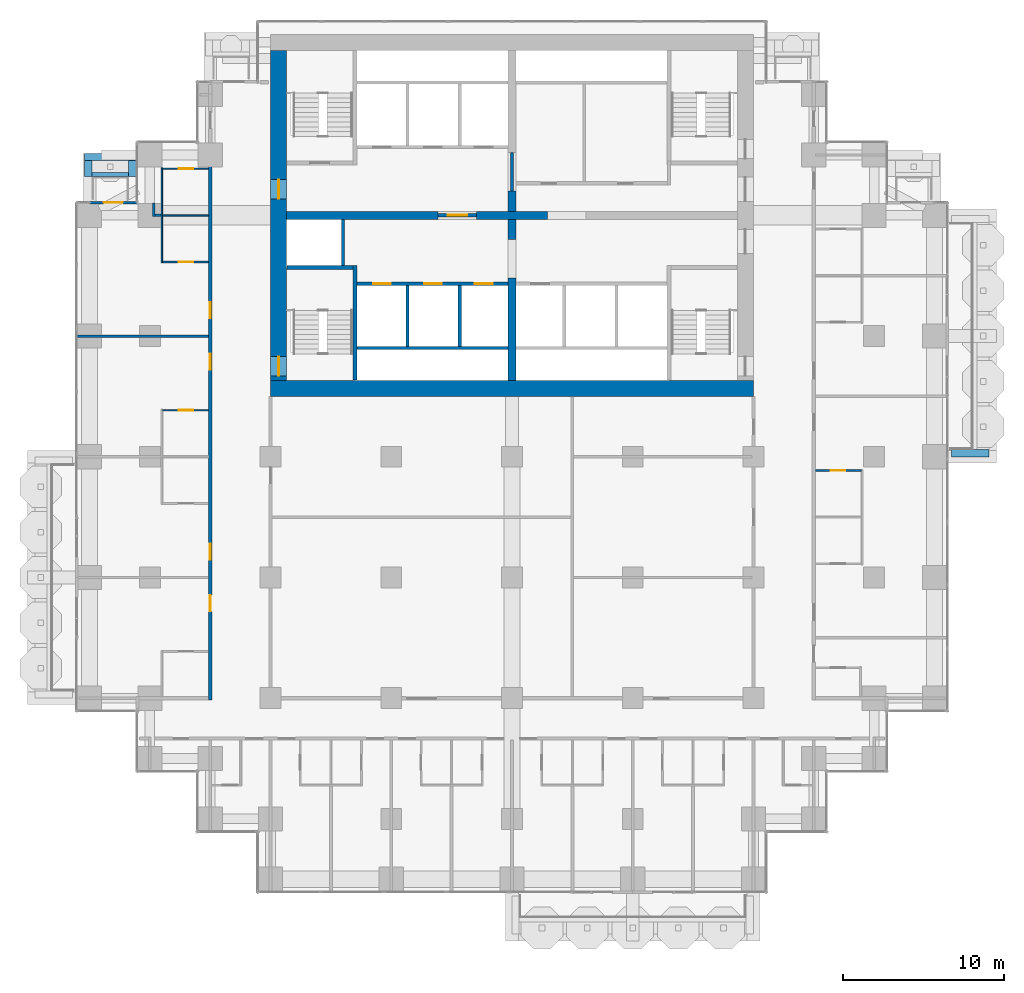
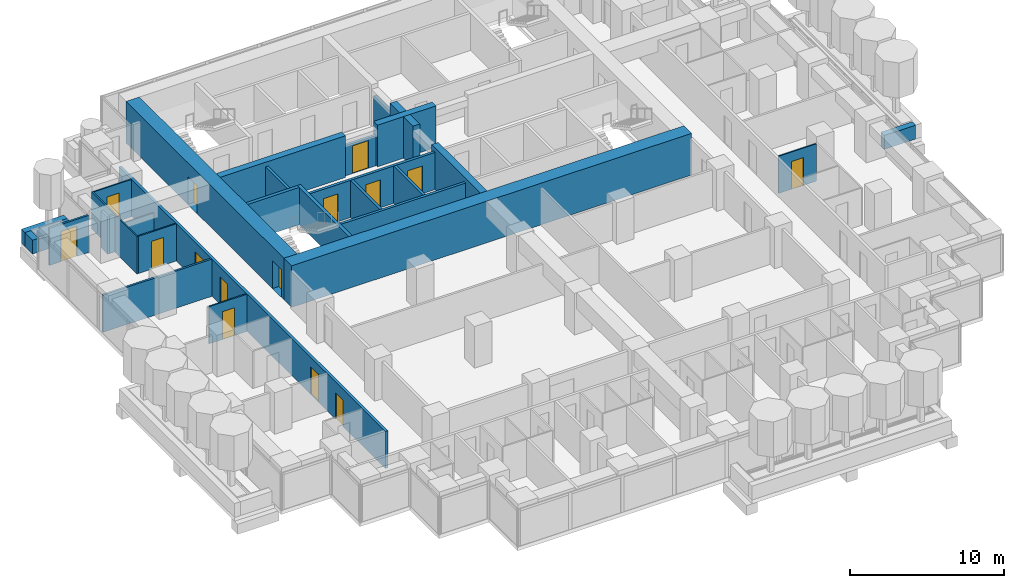
# One storey, part 14 of 20: 32 walls, 15 doors, 15 openings.
"""IFC4 building model written with IfcOpenShell, lengths in metres."""

from ifc_helpers import new_model, si_unit, direction, frame, frame_2d, origin, place, context, subcontext, project, spatial, rectangle, extrude, material, layer, layer_set, type_object, element, fill, save


model = new_model("IFC4")

# Units and contexts
model_context = context("Model", 3, precision=1e-05, world=origin(), true_north=direction((0.0, 1.0)))
body_context = subcontext(model_context, "Body", "Model", "MODEL_VIEW")
ifc_project = project(units=[si_unit("LENGTHUNIT", "METRE"), si_unit("AREAUNIT", "SQUARE_METRE"), si_unit("VOLUMEUNIT", "CUBIC_METRE"), si_unit("PLANEANGLEUNIT", "RADIAN"), si_unit("MASSUNIT", "GRAM", prefix="KILO")], contexts=[model_context])

# Site, building, storey
site_placement = place(None, origin())
site = spatial("IfcSite", under=ifc_project, at=site_placement, CompositionType="ELEMENT")
building_placement = place(site_placement, origin())
building = spatial("IfcBuilding", under=site, at=building_placement, Name="Pilkhan Gate Tower", CompositionType="ELEMENT")
storey_placement = place(building_placement, frame((0.0, 0.0, 98.89990234375)))
storey = spatial("IfcBuildingStorey", under=building, at=storey_placement, Name="L24", CompositionType="ELEMENT", Elevation=98.89990234375)

# Walls
ifc_material_1 = material(Name="Concrete C40/50", Category="concrete")
ifc_layer_1 = layer(ifc_material_1, 0.25)
ifc_layer_set_1 = layer_set([ifc_layer_1], Name="Balcony planter BP250")
wall_type_1 = type_object("IfcWallType", Name="Balcony planter BP250", PredefinedType="USERDEFINED", material=ifc_layer_set_1)
wall_1_placement = place(storey_placement, frame((48.89990234375, 85.02490234375, 0.0), z_axis=(0.0, 0.0, 1.0), x_axis=(1.0, 0.0, 0.0)))
element("IfcWall", 1, at=wall_1_placement, inside=storey, type_object=wall_type_1, Name="Balcony planter L24 N", ObjectType="BALCONY PLANTER", PredefinedType="USERDEFINED", context=body_context, shape_type="SweptSolid", body=[
    extrude(rectangle(XDim=2.280029296875, YDim=0.25, at=frame_2d((1.14013671875, 0.0))), origin(), (0.0, 0.0, 1.0), 1.0),
])
ifc_material_2 = material(Name="Board-marked Concrete C40/50", Category="concrete")
ifc_layer_2 = layer(ifc_material_2, 0.449951171875)
ifc_layer_set_2 = layer_set([ifc_layer_2], Name="Balcony planter lip BL450")
wall_type_2 = type_object("IfcWallType", Name="Balcony planter lip BL450", PredefinedType="USERDEFINED", material=ifc_layer_set_2)
wall_2_placement = place(storey_placement, frame((102.300048828125, 67.72509765625, 0.0), z_axis=(0.0, 0.0, 1.0), x_axis=(1.0, 0.0, 0.0)))
element("IfcWall", 2, at=wall_2_placement, inside=storey, type_object=wall_type_2, Name="Balcony planter L24 E", ObjectType="BALCONY PLANTER", PredefinedType="USERDEFINED", context=body_context, shape_type="SweptSolid", body=[
    extrude(rectangle(XDim=2.349853515625, YDim=0.449951171875, at=frame_2d((1.1748046875, 0.0))), origin(), (0.0, 0.0, 1.0), 1.10009765625),
])
wall_3_placement = place(storey_placement, frame((48.449951171875, 86.125, 0.0), z_axis=(0.0, 0.0, 1.0), x_axis=(1.0, 0.0, 0.0)))
element("IfcWall", 3, at=wall_3_placement, inside=storey, type_object=wall_type_2, Name="Balcony planter L24 N", ObjectType="BALCONY PLANTER", PredefinedType="USERDEFINED", context=body_context, shape_type="SweptSolid", body=[
    extrude(rectangle(XDim=3.179931640625, YDim=0.449951171875, at=frame_2d((1.58984375, 0.0))), origin(), (0.0, 0.0, 1.0), 1.10009765625),
])
for number, where, z_axis, x_axis, name in (
    (4, (48.675048828125, 84.89990234375, 0.0), (0.0, 0.0, 1.0), (0.0, 1.0, 0.0), "Balcony planter L24 N"),
    (5, (51.405029296875, 84.89990234375, 0.0), (0.0, 0.0, 1.0), (0.0, 1.0, 0.0), "Balcony planter L24 N"),
):
    element("IfcWall", number, at=place(storey_placement, frame(where, z_axis=z_axis, x_axis=x_axis)), inside=storey, type_object=wall_type_2, Name=name, ObjectType="BALCONY PLANTER", PredefinedType="USERDEFINED", context=body_context, shape_type="SweptSolid", body=[
        extrude(rectangle(XDim=1.0, YDim=0.449951171875, at=frame_2d((0.5, 0.0))), origin(), (0.0, 0.0, 1.0), 1.10009765625),
    ])
ifc_material_3 = material(Name="Concrete C70/85", Category="concrete")
ifc_layer_3 = layer(ifc_material_3, 1.0)
ifc_layer_set_3 = layer_set([ifc_layer_3], Name="Core wall CW1000 C70/85")
wall_type_3 = type_object("IfcWallType", Name="Core wall CW1000 C70/85", PredefinedType="SHEAR", material=ifc_layer_set_3)
wall_4_placement = place(storey_placement, frame((60.0, 71.75, 0.0), z_axis=(0.0, 0.0, 1.0), x_axis=(1.0, 0.0, 0.0)))
element("IfcWall", 6, at=wall_4_placement, inside=storey, type_object=wall_type_3, Name="Core wall S L24", PredefinedType="SHEAR", context=body_context, shape_type="SweptSolid", body=[
    extrude(rectangle(XDim=30.0, YDim=1.0, at=frame_2d((15.0, 0.0))), origin(), (0.0, 0.0, 1.0), 3.300048828125),
])

# Wall, openings, doors
wall_5_placement = place(storey_placement, frame((60.5, 92.75, 0.0), z_axis=(0.0, 0.0, 1.0), x_axis=(0.0, -1.0, 0.0)))
wall_5 = element("IfcWall", 7, at=wall_5_placement, inside=storey, type_object=wall_type_3, Name="Core wall W L24", PredefinedType="SHEAR", context=body_context, shape_type="SweptSolid", body=[
    extrude(rectangle(XDim=20.5, YDim=1.0, at=frame_2d((10.25, 0.0))), origin(), (0.0, 0.0, 1.0), 3.300048828125),
])
opening_1_placement = place(wall_5_placement, frame((19.02490234375, 0.0, 0.0)))
opening_1 = element("IfcOpeningElement", 8, at=opening_1_placement, cuts=wall_5, Name="Opening L24-04", PredefinedType="OPENING", context=body_context, shape_type="SweptSolid", body=[
    extrude(rectangle(XDim=1.199951171875, YDim=2.199951171875, at=frame_2d((0.60009765625, 1.10009765625))), frame((0.0, 0.510009765625, 0.0), z_axis=(0.0, -1.0, 0.0), x_axis=(1.0, 0.0, 0.0)), (0.0, 0.0, 1.0), 1.02001953125),
])
opening_2_placement = place(wall_5_placement, frame((8.02490234375, 0.0, 0.0)))
opening_2 = element("IfcOpeningElement", 9, at=opening_2_placement, cuts=wall_5, Name="Opening L24-47", PredefinedType="OPENING", context=body_context, shape_type="SweptSolid", body=[
    extrude(rectangle(XDim=1.199951171875, YDim=2.199951171875, at=frame_2d((0.60009765625, 1.10009765625))), frame((0.0, 0.510009765625, 0.0), z_axis=(0.0, -1.0, 0.0), x_axis=(1.0, 0.0, 0.0)), (0.0, 0.0, 1.0), 1.02001953125),
])
ifc_material_4 = material(Name="Steel door, 120 minute fire resisting, self-closing", Category="steel")
door_type_1 = type_object("IfcDoorType", Name="Firefighting lobby door D10 1200x2200", OperationType="SINGLE_SWING_LEFT", PredefinedType="DOOR", material=ifc_material_4)
door_1_placement = place(opening_2_placement, origin())
door_1 = element("IfcDoor", 10, at=door_1_placement, inside=storey, type_object=door_type_1, Name="Core door", OperationType="SINGLE_SWING_LEFT", OverallHeight=2.199951171875, OverallWidth=1.199951171875, PredefinedType="DOOR", context=body_context, shape_type="SweptSolid", body=[
    extrude(rectangle(XDim=1.199951171875, YDim=2.199951171875, at=frame_2d((0.60009765625, 1.10009765625))), frame((0.0, 0.02490234375, 0.0), z_axis=(0.0, -1.0, 0.0), x_axis=(1.0, 0.0, 0.0)), (0.0, 0.0, 1.0), 0.050048828125),
])
fill(opening_2, door_1)
ifc_material_5 = material(Name="Steel door, 120 minute fire resisting, panic bar", Category="steel")
door_type_2 = type_object("IfcDoorType", Name="Stair door D11 1200x2200", OperationType="SINGLE_SWING_LEFT", PredefinedType="DOOR", material=ifc_material_5)
door_2_placement = place(opening_1_placement, origin())
door_2 = element("IfcDoor", 11, at=door_2_placement, inside=storey, type_object=door_type_2, Name="Stair ST2 door", OperationType="SINGLE_SWING_LEFT", OverallHeight=2.199951171875, OverallWidth=1.199951171875, PredefinedType="DOOR", context=body_context, shape_type="SweptSolid", body=[
    extrude(rectangle(XDim=1.199951171875, YDim=2.199951171875, at=frame_2d((0.60009765625, 1.10009765625))), frame((0.0, 0.02490234375, 0.0), z_axis=(0.0, -1.0, 0.0), x_axis=(1.0, 0.0, 0.0)), (0.0, 0.0, 1.0), 0.050048828125),
])
fill(opening_1, door_2)

ifc_material_6 = material(Name="Dense blockwork", Category="masonry")
ifc_layer_4 = layer(ifc_material_6, 0.199951171875)
ifc_layer_set_4 = layer_set([ifc_layer_4], Name="Corridor wall FW200")
wall_type_4 = type_object("IfcWallType", Name="Corridor wall FW200", PredefinedType="PARTITIONING", material=ifc_layer_set_4)
wall_6_placement = place(storey_placement, frame((56.25, 52.39990234375, 0.0), z_axis=(0.0, 0.0, 1.0), x_axis=(0.0, 1.0, 0.0)))
wall_6 = element("IfcWall", 12, at=wall_6_placement, inside=storey, type_object=wall_type_4, Name="Partition L24", PredefinedType="PARTITIONING", context=body_context, shape_type="SweptSolid", body=[
    extrude(rectangle(XDim=34.60009765625, YDim=0.199951171875, at=frame_2d((17.300048828125, 0.0))), origin(), (0.0, 0.0, 1.0), 2.9501953125),
])
opening_3_placement = place(wall_6_placement, frame((5.5, 0.0, 0.0)))
opening_3 = element("IfcOpeningElement", 13, at=opening_3_placement, cuts=wall_6, Name="Opening L24-26", PredefinedType="OPENING", context=body_context, shape_type="SweptSolid", body=[
    extrude(rectangle(XDim=1.0, YDim=2.10009765625, at=frame_2d((0.5, 1.050048828125))), frame((0.0, 0.10986328125, 0.0), z_axis=(0.0, -1.0, 0.0), x_axis=(1.0, 0.0, 0.0)), (0.0, 0.0, 1.0), 0.219970703125),
])
opening_4_placement = place(wall_6_placement, frame((8.699951171875, 0.0, 0.0)))
opening_4 = element("IfcOpeningElement", 14, at=opening_4_placement, cuts=wall_6, Name="Opening L24-28", PredefinedType="OPENING", context=body_context, shape_type="SweptSolid", body=[
    extrude(rectangle(XDim=1.0, YDim=2.199951171875, at=frame_2d((0.5, 1.10009765625))), frame((0.0, 0.10986328125, 0.0), z_axis=(0.0, -1.0, 0.0), x_axis=(1.0, 0.0, 0.0)), (0.0, 0.0, 1.0), 0.219970703125),
])
opening_5_placement = place(wall_6_placement, frame((20.5, 0.0, 0.0)))
opening_5 = element("IfcOpeningElement", 15, at=opening_5_placement, cuts=wall_6, Name="Opening L24-30", PredefinedType="OPENING", context=body_context, shape_type="SweptSolid", body=[
    extrude(rectangle(XDim=1.0, YDim=2.199951171875, at=frame_2d((0.5, 1.10009765625))), frame((0.0, 0.10986328125, 0.0), z_axis=(0.0, -1.0, 0.0), x_axis=(1.0, 0.0, 0.0)), (0.0, 0.0, 1.0), 0.219970703125),
])
opening_6_placement = place(wall_6_placement, frame((23.699951171875, 0.0, 0.0)))
opening_6 = element("IfcOpeningElement", 16, at=opening_6_placement, cuts=wall_6, Name="Opening L24-32", PredefinedType="OPENING", context=body_context, shape_type="SweptSolid", body=[
    extrude(rectangle(XDim=1.0, YDim=2.199951171875, at=frame_2d((0.5, 1.10009765625))), frame((0.0, 0.10986328125, 0.0), z_axis=(0.0, -1.0, 0.0), x_axis=(1.0, 0.0, 0.0)), (0.0, 0.0, 1.0), 0.219970703125),
])
ifc_material_7 = material(Name="Timber flush door, 30 minute fire resisting", Category="wood")
door_type_3 = type_object("IfcDoorType", Name="Guest room door D01 1000x2200", OperationType="SINGLE_SWING_LEFT", PredefinedType="DOOR", material=ifc_material_7)
door_3_placement = place(opening_4_placement, origin())
door_3 = element("IfcDoor", 17, at=door_3_placement, inside=storey, type_object=door_type_3, Name="Guest room door", OperationType="SINGLE_SWING_LEFT", OverallHeight=2.199951171875, OverallWidth=1.0, PredefinedType="DOOR", context=body_context, shape_type="SweptSolid", body=[
    extrude(rectangle(XDim=1.0, YDim=2.199951171875, at=frame_2d((0.5, 1.10009765625))), frame((0.0, 0.02490234375, 0.0), z_axis=(0.0, -1.0, 0.0), x_axis=(1.0, 0.0, 0.0)), (0.0, 0.0, 1.0), 0.050048828125),
])
fill(opening_4, door_3)
door_4_placement = place(opening_5_placement, origin())
door_4 = element("IfcDoor", 18, at=door_4_placement, inside=storey, type_object=door_type_3, Name="Guest room door", OperationType="SINGLE_SWING_LEFT", OverallHeight=2.199951171875, OverallWidth=1.0, PredefinedType="DOOR", context=body_context, shape_type="SweptSolid", body=[
    extrude(rectangle(XDim=1.0, YDim=2.199951171875, at=frame_2d((0.5, 1.10009765625))), frame((0.0, 0.02490234375, 0.0), z_axis=(0.0, -1.0, 0.0), x_axis=(1.0, 0.0, 0.0)), (0.0, 0.0, 1.0), 0.050048828125),
])
fill(opening_5, door_4)
door_5_placement = place(opening_6_placement, origin())
door_5 = element("IfcDoor", 19, at=door_5_placement, inside=storey, type_object=door_type_3, Name="Guest room door", OperationType="SINGLE_SWING_LEFT", OverallHeight=2.199951171875, OverallWidth=1.0, PredefinedType="DOOR", context=body_context, shape_type="SweptSolid", body=[
    extrude(rectangle(XDim=1.0, YDim=2.199951171875, at=frame_2d((0.5, 1.10009765625))), frame((0.0, 0.02490234375, 0.0), z_axis=(0.0, -1.0, 0.0), x_axis=(1.0, 0.0, 0.0)), (0.0, 0.0, 1.0), 0.050048828125),
])
fill(opening_6, door_5)
door_type_4 = type_object("IfcDoorType", Name="Guest room door D01A 1000x2100", OperationType="SINGLE_SWING_LEFT", PredefinedType="DOOR", material=ifc_material_7)
door_6_placement = place(opening_3_placement, origin())
door_6 = element("IfcDoor", 20, at=door_6_placement, inside=storey, type_object=door_type_4, Name="Guest room door", OperationType="SINGLE_SWING_LEFT", OverallHeight=2.10009765625, OverallWidth=1.0, PredefinedType="DOOR", context=body_context, shape_type="SweptSolid", body=[
    extrude(rectangle(XDim=1.0, YDim=2.10009765625, at=frame_2d((0.5, 1.050048828125))), frame((0.0, 0.02490234375, 0.0), z_axis=(0.0, -1.0, 0.0), x_axis=(1.0, 0.0, 0.0)), (0.0, 0.0, 1.0), 0.050048828125),
])
fill(opening_3, door_6)

# Wall, opening, door
ifc_material_8 = material(Name="Pale anodised aluminium, clear laminated glazing", Category="aluminium")
ifc_layer_5 = layer(ifc_material_8, 0.14990234375)
ifc_layer_set_5 = layer_set([ifc_layer_5], Name="Facade infill wall IW150")
wall_type_5 = type_object("IfcWallType", Name="Facade infill wall IW150", PredefinedType="SOLIDWALL", material=ifc_layer_set_5)
wall_7_placement = place(storey_placement, frame((48.75, 83.294921875, 0.0), z_axis=(0.0, 0.0, 1.0), x_axis=(1.0, 0.0, 0.0)))
wall_7 = element("IfcWall", 21, at=wall_7_placement, inside=storey, type_object=wall_type_5, Name="Infill wall L24 N", PredefinedType="SOLIDWALL", context=body_context, shape_type="SweptSolid", body=[
    extrude(rectangle(XDim=2.955078125, YDim=0.14990234375, at=frame_2d((1.4775390625, 0.0))), origin(), (0.0, 0.0, 1.0), 2.9501953125),
])
opening_7_placement = place(wall_7_placement, frame((0.87744140625, 0.0, 0.0)))
opening_7 = element("IfcOpeningElement", 22, at=opening_7_placement, cuts=wall_7, Name="Opening D1", PredefinedType="OPENING", context=body_context, shape_type="SweptSolid", body=[
    extrude(rectangle(XDim=1.199951171875, YDim=2.39990234375, at=frame_2d((0.60009765625, 1.199951171875))), frame((0.0, 0.0849609375, 0.0), z_axis=(0.0, -1.0, 0.0), x_axis=(1.0, 0.0, 0.0)), (0.0, 0.0, 1.0), 0.169921875),
])
ifc_material_9 = material(Name="Pale anodised aluminium, clear glazing", Category="aluminium")
door_type_5 = type_object("IfcDoorType", Name="Balcony door D1 1200x2400", OperationType="SINGLE_SWING_LEFT", PredefinedType="DOOR", material=ifc_material_9)
door_7_placement = place(opening_7_placement, origin())
door_7 = element("IfcDoor", 23, at=door_7_placement, inside=storey, type_object=door_type_5, Name="Balcony door L24", OperationType="SINGLE_SWING_LEFT", OverallHeight=2.39990234375, OverallWidth=1.199951171875, PredefinedType="DOOR", context=body_context, shape_type="SweptSolid", body=[
    extrude(rectangle(XDim=1.199951171875, YDim=2.39990234375, at=frame_2d((0.60009765625, 1.199951171875))), frame((0.0, 0.02490234375, 0.0), z_axis=(0.0, -1.0, 0.0), x_axis=(1.0, 0.0, 0.0)), (0.0, 0.0, 1.0), 0.050048828125),
])
fill(opening_7, door_7)

ifc_layer_6 = layer(ifc_material_6, 0.199951171875)
ifc_layer_set_6 = layer_set([ifc_layer_6], Name="Lobby wall LW200")
wall_type_6 = type_object("IfcWallType", Name="Lobby wall LW200", PredefinedType="PARTITIONING", material=ifc_layer_set_6)
wall_8_placement = place(storey_placement, frame((70.409912109375, 82.5, 0.0), z_axis=(0.0, 0.0, 1.0), x_axis=(1.0, 0.0, 0.0)))
wall_8 = element("IfcWall", 24, at=wall_8_placement, inside=storey, type_object=wall_type_6, Name="Partition L24", PredefinedType="PARTITIONING", context=body_context, shape_type="SweptSolid", body=[
    extrude(rectangle(XDim=2.380126953125, YDim=0.199951171875, at=frame_2d((1.18994140625, 0.0))), origin(), (0.0, 0.0, 1.0), 2.400146484375),
])
opening_8_placement = place(wall_8_placement, frame((0.60009765625, 0.0, 0.0)))
opening_8 = element("IfcOpeningElement", 25, at=opening_8_placement, cuts=wall_8, Name="Opening L24-01", PredefinedType="OPENING", context=body_context, shape_type="SweptSolid", body=[
    extrude(rectangle(XDim=1.199951171875, YDim=2.199951171875, at=frame_2d((0.60009765625, 1.10009765625))), frame((0.0, 0.10986328125, 0.0), z_axis=(0.0, -1.0, 0.0), x_axis=(1.0, 0.0, 0.0)), (0.0, 0.0, 1.0), 0.219970703125),
])
door_8_placement = place(opening_8_placement, origin())
door_8 = element("IfcDoor", 26, at=door_8_placement, inside=storey, type_object=door_type_1, Name="Firefighting lobby door", OperationType="SINGLE_SWING_RIGHT", OverallHeight=2.199951171875, OverallWidth=1.199951171875, PredefinedType="DOOR", context=body_context, shape_type="SweptSolid", body=[
    extrude(rectangle(XDim=1.199951171875, YDim=2.199951171875, at=frame_2d((0.60009765625, 1.10009765625))), frame((0.0, 0.02490234375, 0.0), z_axis=(0.0, -1.0, 0.0), x_axis=(1.0, 0.0, 0.0)), (0.0, 0.0, 1.0), 0.050048828125),
])
fill(opening_8, door_8)

# Walls
wall_9_placement = place(storey_placement, frame((75.0, 84.010009765625, 0.0), z_axis=(0.0, 0.0, 1.0), x_axis=(0.0, 1.0, 0.0)))
element("IfcWall", 27, at=wall_9_placement, inside=storey, type_object=wall_type_6, Name="Partition L24", PredefinedType="PARTITIONING", context=body_context, shape_type="SweptSolid", body=[
    extrude(rectangle(XDim=2.3798828125, YDim=0.199951171875, at=frame_2d((1.18994140625, 0.0))), origin(), (0.0, 0.0, 1.0), 2.400146484375),
])
ifc_material_10 = material(Name="Blockwork partition, plastered both sides", Category="masonry")
ifc_layer_7 = layer(ifc_material_10, 0.14990234375)
ifc_layer_set_7 = layer_set([ifc_layer_7], Name="Partition PW150")
wall_type_7 = type_object("IfcWallType", Name="Partition PW150", PredefinedType="PARTITIONING", material=ifc_layer_set_7)
wall_10_placement = place(storey_placement, frame((47.985107421875, 75.0, 0.0), z_axis=(0.0, 0.0, 1.0), x_axis=(1.0, 0.0, 0.0)))
element("IfcWall", 28, at=wall_10_placement, inside=storey, type_object=wall_type_7, Name="Partition L24", PredefinedType="PARTITIONING", context=body_context, shape_type="SweptSolid", body=[
    extrude(rectangle(XDim=8.164794921875, YDim=0.14990234375, at=frame_2d((4.08251953125, 0.0))), origin(), (0.0, 0.0, 1.0), 2.9501953125),
])
wall_11_placement = place(storey_placement, frame((52.81005859375, 82.5, 0.0), z_axis=(0.0, 0.0, 1.0), x_axis=(1.0, 0.0, 0.0)))
element("IfcWall", 29, at=wall_11_placement, inside=storey, type_object=wall_type_7, Name="Partition L24", PredefinedType="PARTITIONING", context=body_context, shape_type="SweptSolid", body=[
    extrude(rectangle(XDim=0.389892578125, YDim=0.14990234375, at=frame_2d((0.19482421875, 0.0))), origin(), (0.0, 0.0, 1.0), 2.9501953125),
])
wall_12_placement = place(storey_placement, frame((52.735107421875, 82.425048828125, 0.0), z_axis=(0.0, 0.0, 1.0), x_axis=(0.0, 1.0, 0.0)))
element("IfcWall", 30, at=wall_12_placement, inside=storey, type_object=wall_type_7, Name="Partition L24", PredefinedType="PARTITIONING", context=body_context, shape_type="SweptSolid", body=[
    extrude(rectangle(XDim=0.83984375, YDim=0.14990234375, at=frame_2d((0.419921875, 0.0))), origin(), (0.0, 0.0, 1.0), 2.9501953125),
])
ifc_material_11 = material(Name="Reinforced blockwork shaft wall, 120 minute fire resisting", Category="masonry")
ifc_layer_8 = layer(ifc_material_11, 0.199951171875)
ifc_layer_set_8 = layer_set([ifc_layer_8], Name="Shaft wall SW200")
wall_type_8 = type_object("IfcWallType", Name="Shaft wall SW200", PredefinedType="PARTITIONING", material=ifc_layer_set_8)
wall_13_placement = place(storey_placement, frame((65.375, 74.25, 0.0), z_axis=(0.0, 0.0, 1.0), x_axis=(1.0, 0.0, 0.0)))
element("IfcWall", 31, at=wall_13_placement, inside=storey, type_object=wall_type_8, Name="Partition L24", PredefinedType="PARTITIONING", context=body_context, shape_type="SweptSolid", body=[
    extrude(rectangle(XDim=9.364990234375, YDim=0.199951171875, at=frame_2d((4.6826171875, 0.0))), origin(), (0.0, 0.0, 1.0), 2.9501953125),
])

# Wall, openings, doors
wall_14_placement = place(storey_placement, frame((65.375, 78.25, 0.0), z_axis=(0.0, 0.0, 1.0), x_axis=(1.0, 0.0, 0.0)))
wall_14 = element("IfcWall", 32, at=wall_14_placement, inside=storey, type_object=wall_type_8, Name="Partition L24", PredefinedType="PARTITIONING", context=body_context, shape_type="SweptSolid", body=[
    extrude(rectangle(XDim=9.364990234375, YDim=0.199951171875, at=frame_2d((4.6826171875, 0.0))), origin(), (0.0, 0.0, 1.0), 2.9501953125),
])
opening_9_placement = place(wall_14_placement, frame((1.0, 0.0, 0.0)))
opening_9 = element("IfcOpeningElement", 33, at=opening_9_placement, cuts=wall_14, Name="Opening LD", PredefinedType="OPENING", context=body_context, shape_type="SweptSolid", body=[
    extrude(rectangle(XDim=1.10009765625, YDim=2.199951171875, at=frame_2d((0.550048828125, 1.10009765625))), frame((0.0, 0.10986328125, 0.0), z_axis=(0.0, -1.0, 0.0), x_axis=(1.0, 0.0, 0.0)), (0.0, 0.0, 1.0), 0.219970703125),
])
opening_10_placement = place(wall_14_placement, frame((4.175048828125, 0.0, 0.0)))
opening_10 = element("IfcOpeningElement", 34, at=opening_10_placement, cuts=wall_14, Name="Opening LD", PredefinedType="OPENING", context=body_context, shape_type="SweptSolid", body=[
    extrude(rectangle(XDim=1.10009765625, YDim=2.199951171875, at=frame_2d((0.550048828125, 1.10009765625))), frame((0.0, 0.10986328125, 0.0), z_axis=(0.0, -1.0, 0.0), x_axis=(1.0, 0.0, 0.0)), (0.0, 0.0, 1.0), 0.219970703125),
])
opening_11_placement = place(wall_14_placement, frame((7.324951171875, 0.0, 0.0)))
opening_11 = element("IfcOpeningElement", 35, at=opening_11_placement, cuts=wall_14, Name="Opening LD", PredefinedType="OPENING", context=body_context, shape_type="SweptSolid", body=[
    extrude(rectangle(XDim=1.10009765625, YDim=2.199951171875, at=frame_2d((0.550048828125, 1.10009765625))), frame((0.0, 0.10986328125, 0.0), z_axis=(0.0, -1.0, 0.0), x_axis=(1.0, 0.0, 0.0)), (0.0, 0.0, 1.0), 0.219970703125),
])
ifc_material_12 = material(Name="Stainless steel centre-opening landing door, 120 minute fire resisting", Category="steel")
door_type_6 = type_object("IfcDoorType", Name="Lift landing door LD 1100x2200", OperationType="DOUBLE_DOOR_SLIDING", PredefinedType="DOOR", material=ifc_material_12)
door_9_placement = place(opening_9_placement, origin())
door_9 = element("IfcDoor", 36, at=door_9_placement, inside=storey, type_object=door_type_6, Name="Landing door LR1", OperationType="DOUBLE_DOOR_SLIDING", OverallHeight=2.199951171875, OverallWidth=1.10009765625, PredefinedType="DOOR", context=body_context, shape_type="SweptSolid", body=[
    extrude(rectangle(XDim=1.10009765625, YDim=2.199951171875, at=frame_2d((0.550048828125, 1.10009765625))), frame((0.0, 0.02490234375, 0.0), z_axis=(0.0, -1.0, 0.0), x_axis=(1.0, 0.0, 0.0)), (0.0, 0.0, 1.0), 0.050048828125),
])
fill(opening_9, door_9)
door_10_placement = place(opening_10_placement, origin())
door_10 = element("IfcDoor", 37, at=door_10_placement, inside=storey, type_object=door_type_6, Name="Landing door LR2", OperationType="DOUBLE_DOOR_SLIDING", OverallHeight=2.199951171875, OverallWidth=1.10009765625, PredefinedType="DOOR", context=body_context, shape_type="SweptSolid", body=[
    extrude(rectangle(XDim=1.10009765625, YDim=2.199951171875, at=frame_2d((0.550048828125, 1.10009765625))), frame((0.0, 0.02490234375, 0.0), z_axis=(0.0, -1.0, 0.0), x_axis=(1.0, 0.0, 0.0)), (0.0, 0.0, 1.0), 0.050048828125),
])
fill(opening_10, door_10)
door_11_placement = place(opening_11_placement, origin())
door_11 = element("IfcDoor", 38, at=door_11_placement, inside=storey, type_object=door_type_6, Name="Landing door LR3", OperationType="DOUBLE_DOOR_SLIDING", OverallHeight=2.199951171875, OverallWidth=1.10009765625, PredefinedType="DOOR", context=body_context, shape_type="SweptSolid", body=[
    extrude(rectangle(XDim=1.10009765625, YDim=2.199951171875, at=frame_2d((0.550048828125, 1.10009765625))), frame((0.0, 0.02490234375, 0.0), z_axis=(0.0, -1.0, 0.0), x_axis=(1.0, 0.0, 0.0)), (0.0, 0.0, 1.0), 0.050048828125),
])
fill(opening_11, door_11)

# Walls
wall_15_placement = place(storey_placement, frame((64.5, 79.375, 0.0), z_axis=(0.0, 0.0, 1.0), x_axis=(0.0, 1.0, 0.0)))
element("IfcWall", 39, at=wall_15_placement, inside=storey, type_object=wall_type_8, Name="Partition L24", PredefinedType="PARTITIONING", context=body_context, shape_type="SweptSolid", body=[
    extrude(rectangle(XDim=2.864990234375, YDim=0.199951171875, at=frame_2d((1.4326171875, 0.0))), origin(), (0.0, 0.0, 1.0), 2.9501953125),
])
for number, where, z_axis, x_axis, name in (
    (40, (68.5, 74.35009765625, 0.0), (0.0, 0.0, 1.0), (0.0, 1.0, 0.0), "Partition L24"),
    (41, (71.75, 74.35009765625, 0.0), (0.0, 0.0, 1.0), (0.0, 1.0, 0.0), "Partition L24"),
):
    element("IfcWall", number, at=place(storey_placement, frame(where, z_axis=z_axis, x_axis=x_axis)), inside=storey, type_object=wall_type_8, Name=name, PredefinedType="PARTITIONING", context=body_context, shape_type="SweptSolid", body=[
        extrude(rectangle(XDim=3.7998046875, YDim=0.199951171875, at=frame_2d((1.89990234375, 0.0))), origin(), (0.0, 0.0, 1.0), 2.9501953125),
    ])
ifc_layer_9 = layer(ifc_material_3, 0.5)
ifc_layer_set_9 = layer_set([ifc_layer_9], Name="Spine wall SW500 C70/85")
wall_type_9 = type_object("IfcWallType", Name="Spine wall SW500 C70/85", PredefinedType="SHEAR", material=ifc_layer_set_9)
wall_16_placement = place(storey_placement, frame((61.0, 82.5, 0.0), z_axis=(0.0, 0.0, 1.0), x_axis=(1.0, 0.0, 0.0)))
element("IfcWall", 42, at=wall_16_placement, inside=storey, type_object=wall_type_9, Name="Spine wall SP-EW1 L24", PredefinedType="SHEAR", context=body_context, shape_type="SweptSolid", body=[
    extrude(rectangle(XDim=9.39990234375, YDim=0.5, at=frame_2d((4.699951171875, 0.0))), origin(), (0.0, 0.0, 1.0), 3.300048828125),
])
wall_17_placement = place(storey_placement, frame((72.800048828125, 82.5, 0.0), z_axis=(0.0, 0.0, 1.0), x_axis=(1.0, 0.0, 0.0)))
element("IfcWall", 43, at=wall_17_placement, inside=storey, type_object=wall_type_9, Name="Spine wall SP-EW2 L24", PredefinedType="SHEAR", context=body_context, shape_type="SweptSolid", body=[
    extrude(rectangle(XDim=4.39990234375, YDim=0.5, at=frame_2d((2.199951171875, 0.0))), origin(), (0.0, 0.0, 1.0), 3.300048828125),
])
wall_18_placement = place(storey_placement, frame((75.0, 72.25, 0.0), z_axis=(0.0, 0.0, 1.0), x_axis=(0.0, 1.0, 0.0)))
element("IfcWall", 44, at=wall_18_placement, inside=storey, type_object=wall_type_9, Name="Spine wall SP-NS-S1 L24", PredefinedType="SHEAR", context=body_context, shape_type="SweptSolid", body=[
    extrude(rectangle(XDim=6.35009765625, YDim=0.5, at=frame_2d((3.175048828125, 0.0))), origin(), (0.0, 0.0, 1.0), 3.300048828125),
])
for number, where, z_axis, x_axis, name in (
    (45, (75.0, 81.0, 0.0), (0.0, 0.0, 1.0), (0.0, 1.0, 0.0), "Spine wall SP-NS-S2 L24"),
    (46, (75.0, 82.75, 0.0), (0.0, 0.0, 1.0), (0.0, 1.0, 0.0), "Spine wall SP-NS-N1 L24"),
):
    element("IfcWall", number, at=place(storey_placement, frame(where, z_axis=z_axis, x_axis=x_axis)), inside=storey, type_object=wall_type_9, Name=name, PredefinedType="SHEAR", context=body_context, shape_type="SweptSolid", body=[
        extrude(rectangle(XDim=1.25, YDim=0.5, at=frame_2d((0.625, 0.0))), origin(), (0.0, 0.0, 1.0), 3.300048828125),
    ])
ifc_material_13 = material(Name="Reinforced blockwork, 120 minute fire resisting", Category="masonry")
ifc_layer_10 = layer(ifc_material_13, 0.25)
ifc_layer_set_10 = layer_set([ifc_layer_10], Name="Stair enclosure wall SE250")
wall_type_10 = type_object("IfcWallType", Name="Stair enclosure wall SE250", PredefinedType="PARTITIONING", material=ifc_layer_set_10)
wall_19_placement = place(storey_placement, frame((61.010009765625, 79.25, 0.0), z_axis=(0.0, 0.0, 1.0), x_axis=(1.0, 0.0, 0.0)))
element("IfcWall", 47, at=wall_19_placement, inside=storey, type_object=wall_type_10, Name="Partition L24", PredefinedType="PARTITIONING", context=body_context, shape_type="SweptSolid", body=[
    extrude(rectangle(XDim=4.114990234375, YDim=0.25, at=frame_2d((2.0576171875, 0.0))), origin(), (0.0, 0.0, 1.0), 2.9501953125),
])
wall_20_placement = place(storey_placement, frame((65.25, 72.260009765625, 0.0), z_axis=(0.0, 0.0, 1.0), x_axis=(0.0, 1.0, 0.0)))
element("IfcWall", 48, at=wall_20_placement, inside=storey, type_object=wall_type_10, Name="Partition L24", PredefinedType="PARTITIONING", context=body_context, shape_type="SweptSolid", body=[
    extrude(rectangle(XDim=7.114990234375, YDim=0.25, at=frame_2d((3.5576171875, 0.0))), origin(), (0.0, 0.0, 1.0), 2.9501953125),
])

# Wall, opening, door
ifc_material_14 = material(Name="Moisture resistant board, tiled")
ifc_layer_11 = layer(ifc_material_14, 0.10009765625)
ifc_layer_set_11 = layer_set([ifc_layer_11], Name="Wet wall PW100")
wall_type_11 = type_object("IfcWallType", Name="Wet wall PW100", PredefinedType="PARTITIONING", material=ifc_layer_set_11)
wall_21_placement = place(storey_placement, frame((93.85009765625, 66.64990234375, 0.0), z_axis=(0.0, 0.0, 1.0), x_axis=(1.0, 0.0, 0.0)))
wall_21 = element("IfcWall", 49, at=wall_21_placement, inside=storey, type_object=wall_type_11, Name="Partition L24", PredefinedType="PARTITIONING", context=body_context, shape_type="SweptSolid", body=[
    extrude(rectangle(XDim=2.849853515625, YDim=0.10009765625, at=frame_2d((1.4248046875, 0.0))), origin(), (0.0, 0.0, 1.0), 2.9501953125),
])
opening_12_placement = place(wall_21_placement, frame((0.949951171875, 0.0, 0.0)))
opening_12 = element("IfcOpeningElement", 50, at=opening_12_placement, cuts=wall_21, Name="Opening L24-41", PredefinedType="OPENING", context=body_context, shape_type="SweptSolid", body=[
    extrude(rectangle(XDim=0.89990234375, YDim=2.199951171875, at=frame_2d((0.449951171875, 1.10009765625))), frame((0.0, 0.06005859375, 0.0), z_axis=(0.0, -1.0, 0.0), x_axis=(1.0, 0.0, 0.0)), (0.0, 0.0, 1.0), 0.1201171875),
])
ifc_material_15 = material(Name="Timber flush door", Category="wood")
door_type_7 = type_object("IfcDoorType", Name="Bathroom door D02 900x2200", OperationType="SINGLE_SWING_RIGHT", PredefinedType="DOOR", material=ifc_material_15)
door_12_placement = place(opening_12_placement, origin())
door_12 = element("IfcDoor", 51, at=door_12_placement, inside=storey, type_object=door_type_7, Name="Bathroom door", OperationType="SINGLE_SWING_RIGHT", OverallHeight=2.199951171875, OverallWidth=0.89990234375, PredefinedType="DOOR", context=body_context, shape_type="SweptSolid", body=[
    extrude(rectangle(XDim=0.89990234375, YDim=2.199951171875, at=frame_2d((0.449951171875, 1.10009765625))), frame((0.0, 0.02490234375, 0.0), z_axis=(0.0, -1.0, 0.0), x_axis=(1.0, 0.0, 0.0)), (0.0, 0.0, 1.0), 0.050048828125),
])
fill(opening_12, door_12)

wall_22_placement = place(storey_placement, frame((53.300048828125, 70.39990234375, 0.0), z_axis=(0.0, 0.0, 1.0), x_axis=(1.0, 0.0, 0.0)))
wall_22 = element("IfcWall", 52, at=wall_22_placement, inside=storey, type_object=wall_type_11, Name="Partition L24", PredefinedType="PARTITIONING", context=body_context, shape_type="SweptSolid", body=[
    extrude(rectangle(XDim=2.849853515625, YDim=0.10009765625, at=frame_2d((1.4248046875, 0.0))), origin(), (0.0, 0.0, 1.0), 2.9501953125),
])
opening_13_placement = place(wall_22_placement, frame((1.0, 0.0, 0.0)))
opening_13 = element("IfcOpeningElement", 53, at=opening_13_placement, cuts=wall_22, Name="Opening L24-31", PredefinedType="OPENING", context=body_context, shape_type="SweptSolid", body=[
    extrude(rectangle(XDim=0.89990234375, YDim=2.199951171875, at=frame_2d((0.449951171875, 1.10009765625))), frame((0.0, 0.06005859375, 0.0), z_axis=(0.0, -1.0, 0.0), x_axis=(1.0, 0.0, 0.0)), (0.0, 0.0, 1.0), 0.1201171875),
])
door_13_placement = place(opening_13_placement, origin())
door_13 = element("IfcDoor", 54, at=door_13_placement, inside=storey, type_object=door_type_7, Name="Bathroom door", OperationType="SINGLE_SWING_RIGHT", OverallHeight=2.199951171875, OverallWidth=0.89990234375, PredefinedType="DOOR", context=body_context, shape_type="SweptSolid", body=[
    extrude(rectangle(XDim=0.89990234375, YDim=2.199951171875, at=frame_2d((0.449951171875, 1.10009765625))), frame((0.0, 0.02490234375, 0.0), z_axis=(0.0, -1.0, 0.0), x_axis=(1.0, 0.0, 0.0)), (0.0, 0.0, 1.0), 0.050048828125),
])
fill(opening_13, door_13)

wall_23_placement = place(storey_placement, frame((53.300048828125, 79.60009765625, 0.0), z_axis=(0.0, 0.0, 1.0), x_axis=(1.0, 0.0, 0.0)))
wall_23 = element("IfcWall", 55, at=wall_23_placement, inside=storey, type_object=wall_type_11, Name="Partition L24", PredefinedType="PARTITIONING", context=body_context, shape_type="SweptSolid", body=[
    extrude(rectangle(XDim=2.849853515625, YDim=0.10009765625, at=frame_2d((1.4248046875, 0.0))), origin(), (0.0, 0.0, 1.0), 2.9501953125),
])
opening_14_placement = place(wall_23_placement, frame((1.0, 0.0, 0.0)))
opening_14 = element("IfcOpeningElement", 56, at=opening_14_placement, cuts=wall_23, Name="Opening L24-33", PredefinedType="OPENING", context=body_context, shape_type="SweptSolid", body=[
    extrude(rectangle(XDim=0.89990234375, YDim=2.199951171875, at=frame_2d((0.449951171875, 1.10009765625))), frame((0.0, 0.06005859375, 0.0), z_axis=(0.0, -1.0, 0.0), x_axis=(1.0, 0.0, 0.0)), (0.0, 0.0, 1.0), 0.1201171875),
])
door_14_placement = place(opening_14_placement, origin())
door_14 = element("IfcDoor", 57, at=door_14_placement, inside=storey, type_object=door_type_7, Name="Bathroom door", OperationType="SINGLE_SWING_RIGHT", OverallHeight=2.199951171875, OverallWidth=0.89990234375, PredefinedType="DOOR", context=body_context, shape_type="SweptSolid", body=[
    extrude(rectangle(XDim=0.89990234375, YDim=2.199951171875, at=frame_2d((0.449951171875, 1.10009765625))), frame((0.0, 0.02490234375, 0.0), z_axis=(0.0, -1.0, 0.0), x_axis=(1.0, 0.0, 0.0)), (0.0, 0.0, 1.0), 0.050048828125),
])
fill(opening_14, door_14)

# Wall
wall_24_placement = place(storey_placement, frame((53.300048828125, 82.5, 0.0), z_axis=(0.0, 0.0, 1.0), x_axis=(1.0, 0.0, 0.0)))
element("IfcWall", 58, at=wall_24_placement, inside=storey, type_object=wall_type_11, Name="Partition L24", PredefinedType="PARTITIONING", context=body_context, shape_type="SweptSolid", body=[
    extrude(rectangle(XDim=2.849853515625, YDim=0.10009765625, at=frame_2d((1.4248046875, 0.0))), origin(), (0.0, 0.0, 1.0), 2.050048828125),
])

# Wall, opening, door
wall_25_placement = place(storey_placement, frame((53.300048828125, 85.39990234375, 0.0), z_axis=(0.0, 0.0, 1.0), x_axis=(1.0, 0.0, 0.0)))
wall_25 = element("IfcWall", 59, at=wall_25_placement, inside=storey, type_object=wall_type_11, Name="Partition L24", PredefinedType="PARTITIONING", context=body_context, shape_type="SweptSolid", body=[
    extrude(rectangle(XDim=2.849853515625, YDim=0.10009765625, at=frame_2d((1.4248046875, 0.0))), origin(), (0.0, 0.0, 1.0), 2.9501953125),
])
opening_15_placement = place(wall_25_placement, frame((1.0, 0.0, 0.0)))
opening_15 = element("IfcOpeningElement", 60, at=opening_15_placement, cuts=wall_25, Name="Opening L24-35", PredefinedType="OPENING", context=body_context, shape_type="SweptSolid", body=[
    extrude(rectangle(XDim=0.89990234375, YDim=2.199951171875, at=frame_2d((0.449951171875, 1.10009765625))), frame((0.0, 0.06005859375, 0.0), z_axis=(0.0, -1.0, 0.0), x_axis=(1.0, 0.0, 0.0)), (0.0, 0.0, 1.0), 0.1201171875),
])
door_15_placement = place(opening_15_placement, origin())
door_15 = element("IfcDoor", 61, at=door_15_placement, inside=storey, type_object=door_type_7, Name="Bathroom door", OperationType="SINGLE_SWING_RIGHT", OverallHeight=2.199951171875, OverallWidth=0.89990234375, PredefinedType="DOOR", context=body_context, shape_type="SweptSolid", body=[
    extrude(rectangle(XDim=0.89990234375, YDim=2.199951171875, at=frame_2d((0.449951171875, 1.10009765625))), frame((0.0, 0.02490234375, 0.0), z_axis=(0.0, -1.0, 0.0), x_axis=(1.0, 0.0, 0.0)), (0.0, 0.0, 1.0), 0.050048828125),
])
fill(opening_15, door_15)

# Wall
wall_26_placement = place(storey_placement, frame((53.25, 79.550048828125, 0.0), z_axis=(0.0, 0.0, 1.0), x_axis=(0.0, 1.0, 0.0)))
element("IfcWall", 62, at=wall_26_placement, inside=storey, type_object=wall_type_11, Name="Partition L24", PredefinedType="PARTITIONING", context=body_context, shape_type="SweptSolid", body=[
    extrude(rectangle(XDim=5.89990234375, YDim=0.10009765625, at=frame_2d((2.949951171875, 0.0))), origin(), (0.0, 0.0, 1.0), 2.9501953125),
])

save(model, "model.ifc")
